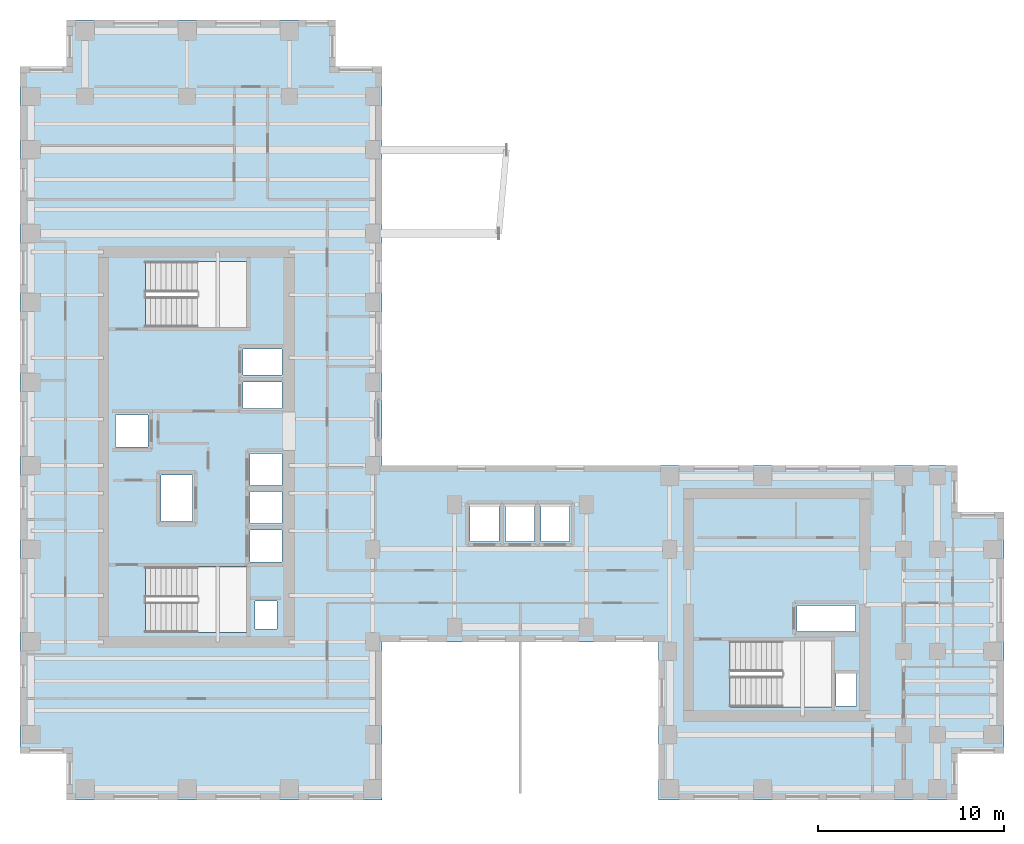
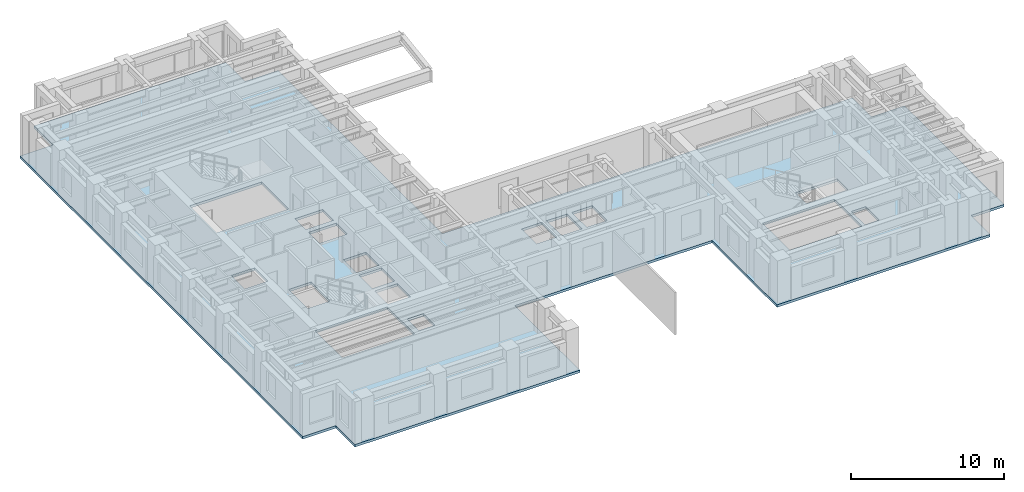
# One storey, part 4 of 13: 1 slab.
"""IFC4 building model written with IfcOpenShell, lengths in metres."""

import ifcopenshell
import ifcopenshell.guid

model = None  # the IFC model being written
_history = None  # IfcOwnerHistory: only IFC2X3 demands one
_inside = {}  # id of a spatial element -> (the spatial element, [elements in it])
_under = {}  # id of a project, library or spatial element -> (it, [spatial elements below it])
_declared = {}  # id of a project -> (the project, [libraries it declares])
_typed = {}  # id of a type object -> (the type object, [elements of that type])
_made_of = {}  # id of a material, layer set ... -> (it, [elements and type objects made of it])


def new_model(schema):
    """Start an empty IFC model of exactly this schema.

    Asked for "IFC4X3", IfcOpenShell would pick the latest addendum, in which some entities
    have other attributes; the version numbers below select the first issue.
    IFC2X3 requires an IfcOwnerHistory on every rooted entity: one is made here for all.
    """
    global model, _history
    if schema == "IFC4X3":
        model = ifcopenshell.file(schema_version=(4, 3, 0, 0))
    else:
        model = ifcopenshell.file(schema=schema)
    _inside.clear()
    _under.clear()
    _declared.clear()
    _typed.clear()
    _made_of.clear()
    _history = None
    if model.schema == "IFC2X3":
        org = make("IfcOrganization", Name="unknown")
        user = make(
            "IfcPersonAndOrganization",
            ThePerson=make("IfcPerson", FamilyName="unknown"),
            TheOrganization=org,
        )
        app = make(
            "IfcApplication",
            ApplicationDeveloper=org,
            Version="unknown",
            ApplicationFullName="unknown",
            ApplicationIdentifier="unknown",
        )
        _history = make(
            "IfcOwnerHistory",
            OwningUser=user,
            OwningApplication=app,
            ChangeAction="ADDED",
            CreationDate=0,
        )
    return model


def make(cls, **values):
    """One entity of the class cls with the attributes given. An attribute that is None is left unset."""
    return model.create_entity(
        cls, **{name: value for name, value in values.items() if value is not None}
    )


def rooted(cls, **values):
    """An entity with a GlobalId (a new one), such as an element, a storey or a relation."""
    return make(cls, GlobalId=ifcopenshell.guid.new(), OwnerHistory=_history, **values)


def si_unit(unit_type, name, prefix=None):
    """IfcSIUnit, for example si_unit("LENGTHUNIT", "METRE", prefix="MILLI")."""
    return make("IfcSIUnit", UnitType=unit_type, Prefix=prefix, Name=name)


def assignment(units):
    """IfcUnitAssignment: the units of a project."""
    return None if units is None else make("IfcUnitAssignment", Units=units)


def point(xyz):
    """IfcCartesianPoint."""
    return None if xyz is None else make("IfcCartesianPoint", Coordinates=xyz)


def direction(xyz):
    """IfcDirection."""
    return None if xyz is None else make("IfcDirection", DirectionRatios=xyz)


def frame(location, z_axis=None, x_axis=None):
    """IfcAxis2Placement3D, a coordinate frame: its origin and axes. An axis left out is left unset."""
    return make(
        "IfcAxis2Placement3D",
        Location=point(location),
        Axis=direction(z_axis),
        RefDirection=direction(x_axis),
    )


def origin():
    """The frame at (0, 0, 0) with its axes left unset."""
    return frame((0.0, 0.0, 0.0))


def place(relative_to, where):
    """IfcLocalPlacement: puts the frame where relative to a parent placement (None: the world)."""
    return make(
        "IfcLocalPlacement", PlacementRelTo=relative_to, RelativePlacement=where
    )


def context(
    kind, dimensions, precision=None, world=None, true_north=None, identifier=None
):
    """IfcGeometricRepresentationContext, for example the 3D "Model" context."""
    return make(
        "IfcGeometricRepresentationContext",
        ContextIdentifier=identifier,
        ContextType=kind,
        CoordinateSpaceDimension=dimensions,
        Precision=precision,
        WorldCoordinateSystem=world,
        TrueNorth=true_north,
    )


def subcontext(parent, identifier, kind, view, scale=None):
    """IfcGeometricRepresentationSubContext, for example "Body" below "Model"."""
    return make(
        "IfcGeometricRepresentationSubContext",
        ContextIdentifier=identifier,
        ContextType=kind,
        ParentContext=parent,
        TargetScale=scale,
        TargetView=view,
    )


def project(units=None, contexts=None):
    """IfcProject with its units and contexts."""
    return rooted(
        "IfcProject",
        Name="project",
        RepresentationContexts=contexts,
        UnitsInContext=assignment(units),
    )


def spatial(cls, under=None, at=None, **own):
    """A site, building, storey or space (cls), placed at a placement, below another one or the project."""
    s = rooted(cls, ObjectPlacement=at, **own)
    if under is not None:
        _under.setdefault(under.id(), (under, []))[1].append(s)
    return s


def polyline(points):
    """IfcPolyline through the points."""
    return make("IfcPolyline", Points=[point(p) for p in points])


def outline(outer, holes=None, kind="AREA"):
    """IfcArbitraryClosedProfileDef: a profile drawn as a closed curve; with holes, ...WithVoids."""
    if holes is None:
        return make("IfcArbitraryClosedProfileDef", ProfileType=kind, OuterCurve=outer)
    return make(
        "IfcArbitraryProfileDefWithVoids",
        ProfileType=kind,
        OuterCurve=outer,
        InnerCurves=holes,
    )


def extrude(swept, where, along, depth):
    """IfcExtrudedAreaSolid: the profile swept, set in the frame where, extruded along a direction by depth."""
    return make(
        "IfcExtrudedAreaSolid",
        SweptArea=swept,
        Position=where,
        ExtrudedDirection=direction(along),
        Depth=depth,
    )


def shape(context_of_items, identifier, shape_type, items):
    """IfcShapeRepresentation: the items that make up one representation, for example the "Body"."""
    return make(
        "IfcShapeRepresentation",
        ContextOfItems=context_of_items,
        RepresentationIdentifier=identifier,
        RepresentationType=shape_type,
        Items=items,
    )


def material(Name=None, Category=None):
    """IfcMaterial."""
    return make("IfcMaterial", Name=Name, Category=Category)


def layer(
    of_material, thickness, ventilated=None, Name=None, Category=None, Priority=None
):
    """IfcMaterialLayer: one layer of a wall or slab, of a material (None: an air gap)."""
    return make(
        "IfcMaterialLayer",
        Material=of_material,
        LayerThickness=thickness,
        IsVentilated=ventilated,
        Name=Name,
        Category=Category,
        Priority=Priority,
    )


def layer_set(layers, Name=None):
    """IfcMaterialLayerSet."""
    return make("IfcMaterialLayerSet", MaterialLayers=layers, LayerSetName=Name)


def made_of(thing, what):
    """Note that an element or type object is made of a material, layer set ...; save() writes the relation."""
    if what is not None:
        _made_of.setdefault(what.id(), (what, []))[1].append(thing)
    return thing


def type_object(cls, material=None, **own):
    """A type object (cls), such as IfcWallType, which elements share."""
    return made_of(rooted(cls, **own), material)


def element(
    cls,
    number,
    at=None,
    inside=None,
    cuts=None,
    type_object=None,
    material=None,
    context=None,
    identifier="Body",
    shape_type=None,
    held_by="IfcProductDefinitionShape",
    body=None,
    shapes=None,
    **own,
):
    """One element of the class cls, such as IfcWall. Its Tag is "e" and its number.

    at: its placement. inside: the storey or other place that contains it. cuts: it is an
    opening in that element (IfcRelVoidsElement). A single representation is given by context,
    identifier, shape_type and body (its items); several are given by shapes. held_by: the class
    of the entity that holds the representations. save() writes the other relations.
    """
    e = rooted(cls, Tag="e%d" % number, ObjectPlacement=at, **own)
    if body is not None:
        shapes = [shape(context, identifier, shape_type, body)]
    if shapes is not None:
        e.Representation = make(held_by, Representations=shapes)
    if inside is not None:
        _inside.setdefault(inside.id(), (inside, []))[1].append(e)
    if cuts is not None:
        rooted(
            "IfcRelVoidsElement", RelatingBuildingElement=cuts, RelatedOpeningElement=e
        )
    if type_object is not None:
        _typed.setdefault(type_object.id(), (type_object, []))[1].append(e)
    return made_of(e, material)


def aggregate(whole, parts):
    """IfcRelAggregates: a whole, such as a stair, and the parts it consists of."""
    return rooted("IfcRelAggregates", RelatingObject=whole, RelatedObjects=parts)


def save(model, path):
    """Write the relations noted so far, then the file.

    IfcRelAggregates (storeys below a building ...), IfcRelContainedInSpatialStructure (elements
    in a storey), IfcRelDefinesByType, IfcRelAssociatesMaterial and IfcRelDeclares: one each for
    every whole, place, type object, material and project.
    """
    for whole, parts in _under.values():
        aggregate(whole, parts)
    for where, things in _inside.values():
        rooted(
            "IfcRelContainedInSpatialStructure",
            RelatedElements=things,
            RelatingStructure=where,
        )
    for kind, things in _typed.values():
        rooted("IfcRelDefinesByType", RelatedObjects=things, RelatingType=kind)
    for what, things in _made_of.values():
        rooted("IfcRelAssociatesMaterial", RelatedObjects=things, RelatingMaterial=what)
    for by, libraries in _declared.values():
        rooted("IfcRelDeclares", RelatingContext=by, RelatedDefinitions=libraries)
    model.write(path)


model = new_model("IFC4")

# Units and contexts
model_context = context("Model", 3, precision=1e-05, world=origin(), true_north=direction((0.0, 1.0)))
body_context = subcontext(model_context, "Body", "Model", "MODEL_VIEW")
ifc_project = project(units=[si_unit("LENGTHUNIT", "METRE"), si_unit("AREAUNIT", "SQUARE_METRE"), si_unit("VOLUMEUNIT", "CUBIC_METRE"), si_unit("PLANEANGLEUNIT", "RADIAN"), si_unit("MASSUNIT", "GRAM", prefix="KILO")], contexts=[model_context])

# Site, building, storey
site_placement = place(None, origin())
site = spatial("IfcSite", under=ifc_project, at=site_placement, CompositionType="ELEMENT")
building_placement = place(site_placement, origin())
building = spatial("IfcBuilding", under=site, at=building_placement, Name="Kharzan Plaza Tower", CompositionType="ELEMENT")
storey_placement = place(building_placement, frame((0.0, 0.0, 197.10009765625)))
storey = spatial("IfcBuildingStorey", under=building, at=storey_placement, Name="L53", CompositionType="ELEMENT", Elevation=197.10009765625)

# Slab
ifc_material = material(Name="Concrete C40/50", Category="concrete")
ifc_layer = layer(ifc_material, 0.199951171875)
ifc_layer_set = layer_set([ifc_layer], Name="Concrete C40/50")
slab_type = type_object("IfcSlabType", Name="SL-FLOOR-200", PredefinedType="FLOOR", material=ifc_layer_set)
slab_placement = place(storey_placement, frame((0.0, 0.0, -0.2001953125)))
element("IfcSlab", 1, at=slab_placement, inside=storey, type_object=slab_type, Name="L53 Composite Structural Floor Slab 200 mm", PredefinedType="FLOOR", context=body_context, shape_type="SweptSolid", body=[
    extrude(outline(polyline([(34.39990234375, 18.0), (19.5, 18.0), (19.5, 39.5), (17.0, 39.5), (17.0, 42.0), (2.5, 42.0), (2.5, 39.5), (0.0, 39.5), (0.0, 2.5), (2.5, 2.5), (2.5, 0.0), (19.5, 0.0), (19.5, 8.5), (34.39990234375, 8.5), (34.39990234375, 0.0), (50.5, 0.0), (50.5, 2.5), (53.0, 2.5), (53.0, 15.5), (50.5, 15.5), (50.5, 18.0), (34.39990234375, 18.0)]), holes=[polyline([(12.199951171875, 9.0), (12.199951171875, 12.550048828125), (6.75, 12.550048828125), (6.75, 9.0), (12.199951171875, 9.0)]), polyline([(14.10009765625, 12.800048828125), (14.10009765625, 14.530029296875), (12.39990234375, 14.530029296875), (12.39990234375, 12.800048828125), (14.10009765625, 12.800048828125)]), polyline([(14.10009765625, 14.8701171875), (14.10009765625, 16.60009765625), (12.39990234375, 16.60009765625), (12.39990234375, 14.8701171875), (14.10009765625, 14.8701171875)]), polyline([(9.300048828125, 15.0), (9.300048828125, 17.5), (7.60009765625, 17.5), (7.60009765625, 15.0), (9.300048828125, 15.0)]), polyline([(6.89990234375, 19.010009765625), (6.89990234375, 20.72998046875), (5.14990234375, 20.72998046875), (5.14990234375, 19.010009765625), (6.89990234375, 19.010009765625)]), polyline([(14.10009765625, 21.070068359375), (14.10009765625, 22.489990234375), (12.0, 22.489990234375), (12.0, 21.070068359375), (14.10009765625, 21.070068359375)]), polyline([(14.10009765625, 22.8701171875), (14.10009765625, 24.2900390625), (12.0, 24.2900390625), (12.0, 22.8701171875), (14.10009765625, 22.8701171875)]), polyline([(12.199951171875, 25.449951171875), (12.199951171875, 29.0), (6.75, 29.0), (6.75, 25.449951171875), (12.199951171875, 25.449951171875)]), polyline([(45.050048828125, 5.050048828125), (45.050048828125, 6.800048828125), (43.949951171875, 6.800048828125), (43.949951171875, 5.050048828125), (45.050048828125, 5.050048828125)]), polyline([(43.699951171875, 5.0), (43.699951171875, 8.550048828125), (38.25, 8.550048828125), (38.25, 5.0), (43.699951171875, 5.0)]), polyline([(45.0, 9.070068359375), (45.0, 10.469970703125), (41.85009765625, 10.469970703125), (41.85009765625, 9.070068359375), (45.0, 9.070068359375)]), polyline([(13.85009765625, 9.199951171875), (13.85009765625, 10.699951171875), (12.64990234375, 10.699951171875), (12.64990234375, 9.199951171875), (13.85009765625, 9.199951171875)]), polyline([(25.800048828125, 13.89990234375), (25.800048828125, 15.85009765625), (24.25, 15.85009765625), (24.25, 13.89990234375), (25.800048828125, 13.89990234375)]), polyline([(27.699951171875, 13.89990234375), (27.699951171875, 15.85009765625), (26.14990234375, 15.85009765625), (26.14990234375, 13.89990234375), (27.699951171875, 13.89990234375)]), polyline([(29.60009765625, 13.89990234375), (29.60009765625, 15.85009765625), (28.050048828125, 15.85009765625), (28.050048828125, 13.89990234375), (29.60009765625, 13.89990234375)]), polyline([(14.10009765625, 16.93994140625), (14.10009765625, 18.64990234375), (12.39990234375, 18.64990234375), (12.39990234375, 16.93994140625), (14.10009765625, 16.93994140625)])]), origin(), (0.0, 0.0, 1.0), 0.2001953125),
])

save(model, "model.ifc")
